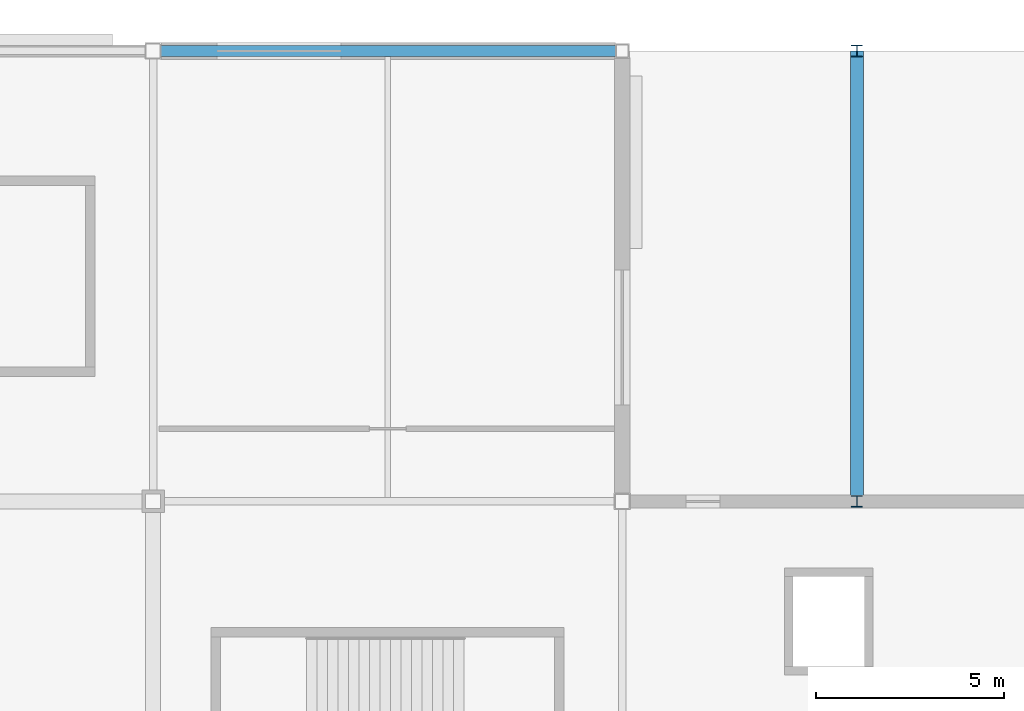
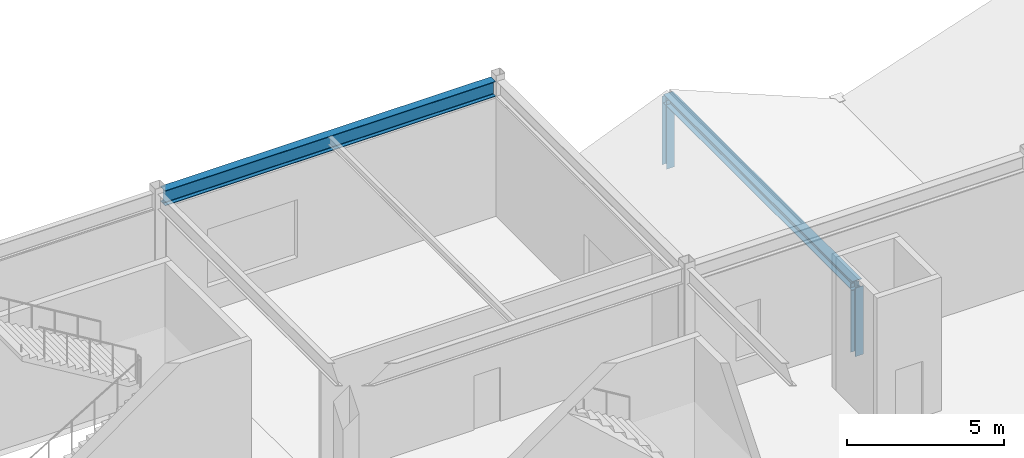
# One storey, part 53 of 105: 3 members, 1 beam.
"""IFC4 building model written with IfcOpenShell, lengths in metres."""

import ifcopenshell
import ifcopenshell.guid

model = None  # the IFC model being written
_history = None  # IfcOwnerHistory: only IFC2X3 demands one
_inside = {}  # id of a spatial element -> (the spatial element, [elements in it])
_under = {}  # id of a project, library or spatial element -> (it, [spatial elements below it])
_declared = {}  # id of a project -> (the project, [libraries it declares])
_typed = {}  # id of a type object -> (the type object, [elements of that type])
_made_of = {}  # id of a material, layer set ... -> (it, [elements and type objects made of it])


def new_model(schema):
    """Start an empty IFC model of exactly this schema.

    Asked for "IFC4X3", IfcOpenShell would pick the latest addendum, in which some entities
    have other attributes; the version numbers below select the first issue.
    IFC2X3 requires an IfcOwnerHistory on every rooted entity: one is made here for all.
    """
    global model, _history
    if schema == "IFC4X3":
        model = ifcopenshell.file(schema_version=(4, 3, 0, 0))
    else:
        model = ifcopenshell.file(schema=schema)
    _inside.clear()
    _under.clear()
    _declared.clear()
    _typed.clear()
    _made_of.clear()
    _history = None
    if model.schema == "IFC2X3":
        org = make("IfcOrganization", Name="unknown")
        user = make(
            "IfcPersonAndOrganization",
            ThePerson=make("IfcPerson", FamilyName="unknown"),
            TheOrganization=org,
        )
        app = make(
            "IfcApplication",
            ApplicationDeveloper=org,
            Version="unknown",
            ApplicationFullName="unknown",
            ApplicationIdentifier="unknown",
        )
        _history = make(
            "IfcOwnerHistory",
            OwningUser=user,
            OwningApplication=app,
            ChangeAction="ADDED",
            CreationDate=0,
        )
    return model


def make(cls, **values):
    """One entity of the class cls with the attributes given. An attribute that is None is left unset."""
    return model.create_entity(
        cls, **{name: value for name, value in values.items() if value is not None}
    )


def rooted(cls, **values):
    """An entity with a GlobalId (a new one), such as an element, a storey or a relation."""
    return make(cls, GlobalId=ifcopenshell.guid.new(), OwnerHistory=_history, **values)


def si_unit(unit_type, name, prefix=None):
    """IfcSIUnit, for example si_unit("LENGTHUNIT", "METRE", prefix="MILLI")."""
    return make("IfcSIUnit", UnitType=unit_type, Prefix=prefix, Name=name)


def assignment(units):
    """IfcUnitAssignment: the units of a project."""
    return None if units is None else make("IfcUnitAssignment", Units=units)


def point(xyz):
    """IfcCartesianPoint."""
    return None if xyz is None else make("IfcCartesianPoint", Coordinates=xyz)


def direction(xyz):
    """IfcDirection."""
    return None if xyz is None else make("IfcDirection", DirectionRatios=xyz)


def frame(location, z_axis=None, x_axis=None):
    """IfcAxis2Placement3D, a coordinate frame: its origin and axes. An axis left out is left unset."""
    return make(
        "IfcAxis2Placement3D",
        Location=point(location),
        Axis=direction(z_axis),
        RefDirection=direction(x_axis),
    )


def frame_2d(location, x_axis=None):
    """IfcAxis2Placement2D, a coordinate frame in the plane: its origin and x axis."""
    return make(
        "IfcAxis2Placement2D", Location=point(location), RefDirection=direction(x_axis)
    )


def origin():
    """The frame at (0, 0, 0) with its axes left unset."""
    return frame((0.0, 0.0, 0.0))


def origin_2d():
    """The frame at (0, 0) in the plane with its x axis left unset."""
    return frame_2d((0.0, 0.0))


def place(relative_to, where):
    """IfcLocalPlacement: puts the frame where relative to a parent placement (None: the world)."""
    return make(
        "IfcLocalPlacement", PlacementRelTo=relative_to, RelativePlacement=where
    )


def context(
    kind, dimensions, precision=None, world=None, true_north=None, identifier=None
):
    """IfcGeometricRepresentationContext, for example the 3D "Model" context."""
    return make(
        "IfcGeometricRepresentationContext",
        ContextIdentifier=identifier,
        ContextType=kind,
        CoordinateSpaceDimension=dimensions,
        Precision=precision,
        WorldCoordinateSystem=world,
        TrueNorth=true_north,
    )


def subcontext(parent, identifier, kind, view, scale=None):
    """IfcGeometricRepresentationSubContext, for example "Body" below "Model"."""
    return make(
        "IfcGeometricRepresentationSubContext",
        ContextIdentifier=identifier,
        ContextType=kind,
        ParentContext=parent,
        TargetScale=scale,
        TargetView=view,
    )


def project(units=None, contexts=None):
    """IfcProject with its units and contexts."""
    return rooted(
        "IfcProject",
        Name="project",
        RepresentationContexts=contexts,
        UnitsInContext=assignment(units),
    )


def spatial(cls, under=None, at=None, **own):
    """A site, building, storey or space (cls), placed at a placement, below another one or the project."""
    s = rooted(cls, ObjectPlacement=at, **own)
    if under is not None:
        _under.setdefault(under.id(), (under, []))[1].append(s)
    return s


def profile(cls, at=None, kind="AREA", **sizes):
    """A parametric profile (cls). Its sizes go by their IFC names, for example OverallWidth=200.0."""
    return make(cls, ProfileType=kind, Position=at, **sizes)


def i_section(**sizes):
    """IfcIShapeProfileDef."""
    return profile("IfcIShapeProfileDef", **sizes)


def extrude(swept, where, along, depth):
    """IfcExtrudedAreaSolid: the profile swept, set in the frame where, extruded along a direction by depth."""
    return make(
        "IfcExtrudedAreaSolid",
        SweptArea=swept,
        Position=where,
        ExtrudedDirection=direction(along),
        Depth=depth,
    )


def shape(context_of_items, identifier, shape_type, items):
    """IfcShapeRepresentation: the items that make up one representation, for example the "Body"."""
    return make(
        "IfcShapeRepresentation",
        ContextOfItems=context_of_items,
        RepresentationIdentifier=identifier,
        RepresentationType=shape_type,
        Items=items,
    )


def material(Name=None, Category=None):
    """IfcMaterial."""
    return make("IfcMaterial", Name=Name, Category=Category)


def material_profile(
    of_material, cross_section, Name=None, Category=None, Priority=None
):
    """IfcMaterialProfile: a cross section and its material."""
    return make(
        "IfcMaterialProfile",
        Name=Name,
        Material=of_material,
        Profile=cross_section,
        Priority=Priority,
        Category=Category,
    )


def profile_set(profiles, Name=None, composite=None):
    """IfcMaterialProfileSet."""
    return make(
        "IfcMaterialProfileSet",
        Name=Name,
        MaterialProfiles=profiles,
        CompositeProfile=composite,
    )


def made_of(thing, what):
    """Note that an element or type object is made of a material, layer set ...; save() writes the relation."""
    if what is not None:
        _made_of.setdefault(what.id(), (what, []))[1].append(thing)
    return thing


def type_object(cls, material=None, **own):
    """A type object (cls), such as IfcWallType, which elements share."""
    return made_of(rooted(cls, **own), material)


def element(
    cls,
    number,
    at=None,
    inside=None,
    cuts=None,
    type_object=None,
    material=None,
    context=None,
    identifier="Body",
    shape_type=None,
    held_by="IfcProductDefinitionShape",
    body=None,
    shapes=None,
    **own,
):
    """One element of the class cls, such as IfcWall. Its Tag is "e" and its number.

    at: its placement. inside: the storey or other place that contains it. cuts: it is an
    opening in that element (IfcRelVoidsElement). A single representation is given by context,
    identifier, shape_type and body (its items); several are given by shapes. held_by: the class
    of the entity that holds the representations. save() writes the other relations.
    """
    e = rooted(cls, Tag="e%d" % number, ObjectPlacement=at, **own)
    if body is not None:
        shapes = [shape(context, identifier, shape_type, body)]
    if shapes is not None:
        e.Representation = make(held_by, Representations=shapes)
    if inside is not None:
        _inside.setdefault(inside.id(), (inside, []))[1].append(e)
    if cuts is not None:
        rooted(
            "IfcRelVoidsElement", RelatingBuildingElement=cuts, RelatedOpeningElement=e
        )
    if type_object is not None:
        _typed.setdefault(type_object.id(), (type_object, []))[1].append(e)
    return made_of(e, material)


def aggregate(whole, parts):
    """IfcRelAggregates: a whole, such as a stair, and the parts it consists of."""
    return rooted("IfcRelAggregates", RelatingObject=whole, RelatedObjects=parts)


def save(model, path):
    """Write the relations noted so far, then the file.

    IfcRelAggregates (storeys below a building ...), IfcRelContainedInSpatialStructure (elements
    in a storey), IfcRelDefinesByType, IfcRelAssociatesMaterial and IfcRelDeclares: one each for
    every whole, place, type object, material and project.
    """
    for whole, parts in _under.values():
        aggregate(whole, parts)
    for where, things in _inside.values():
        rooted(
            "IfcRelContainedInSpatialStructure",
            RelatedElements=things,
            RelatingStructure=where,
        )
    for kind, things in _typed.values():
        rooted("IfcRelDefinesByType", RelatedObjects=things, RelatingType=kind)
    for what, things in _made_of.values():
        rooted("IfcRelAssociatesMaterial", RelatedObjects=things, RelatingMaterial=what)
    for by, libraries in _declared.values():
        rooted("IfcRelDeclares", RelatingContext=by, RelatedDefinitions=libraries)
    model.write(path)


model = new_model("IFC4")

# Units and contexts
model_context = context("Model", 3, precision=1e-05, world=origin(), true_north=direction((0.0, 1.0)))
body_context = subcontext(model_context, "Body", "Model", "MODEL_VIEW")
ifc_project = project(units=[si_unit("LENGTHUNIT", "METRE"), si_unit("AREAUNIT", "SQUARE_METRE"), si_unit("VOLUMEUNIT", "CUBIC_METRE"), si_unit("PLANEANGLEUNIT", "RADIAN"), si_unit("MASSUNIT", "GRAM", prefix="KILO")], contexts=[model_context])

# Site, building, storey
site_placement = place(None, origin())
site = spatial("IfcSite", under=ifc_project, at=site_placement, CompositionType="ELEMENT")
building_placement = place(site_placement, origin())
building = spatial("IfcBuilding", under=site, at=building_placement, Name="Kazenohara Klinker Stadium", CompositionType="ELEMENT")
storey_placement = place(building_placement, frame((0.0, 0.0, 20.39990234375)))
storey = spatial("IfcBuildingStorey", under=building, at=storey_placement, Name="L04", CompositionType="ELEMENT", Elevation=20.39990234375)

# Beam
ifc_material = material(Name="Steel S355", Category="steel")
ifc_material_profile_1 = material_profile(ifc_material, i_section(OverallWidth=0.300048828125, OverallDepth=0.587890625, WebThickness=0.011962890625, FlangeThickness=0.02001953125, FilletRadius=0.02197265625, at=origin_2d()), Name="H-588x300x12x20")
ifc_profile_set_1 = profile_set([ifc_material_profile_1], Name="Steel S355")
beam_type = type_object("IfcBeamType", Name="BM-ST05", PredefinedType="BEAM", material=ifc_profile_set_1)
beam_placement = place(storey_placement, frame((74.199951171875, 168.0, 4.885986328125), z_axis=(1.0, 0.0, 0.0), x_axis=(0.0, 1.0, 0.0)))
element("IfcBeam", 1, at=beam_placement, inside=storey, type_object=beam_type, Name="Primary girder SB05 L04 7-8/Q", PredefinedType="BEAM", context=body_context, shape_type="SweptSolid", body=[
    extrude(i_section(OverallWidth=0.300048828125, OverallDepth=0.587890625, WebThickness=0.011962890625, FlangeThickness=0.02001953125, FilletRadius=0.02197265625, at=origin_2d()), origin(), (0.0, 0.0, 1.0), 12.125),
])

# Members
ifc_material_profile_2 = material_profile(ifc_material, i_section(OverallWidth=0.35009765625, OverallDepth=0.35009765625, WebThickness=0.011962890625, FlangeThickness=0.01904296875, FilletRadius=0.012939453125, at=origin_2d()), Name="H-350x350x12x19")
ifc_profile_set_2 = profile_set([ifc_material_profile_2], Name="Steel S355")
member_type_1 = type_object("IfcMemberType", Name="MEM-CHD02", PredefinedType="CHORD", material=ifc_profile_set_2)
member_placement = place(storey_placement, frame((92.75, 156.0, 2.22998046875), z_axis=(0.0, 1.0, 0.0), x_axis=(-1.0, 0.0, 0.0)))
element("IfcMember", 2, at=member_placement, inside=storey, type_object=member_type_1, Name="Stepped pavilion gable ridge beam L04 8/P", PredefinedType="CHORD", context=body_context, shape_type="SweptSolid", body=[
    extrude(i_section(OverallWidth=0.35009765625, OverallDepth=0.35009765625, WebThickness=0.011962890625, FlangeThickness=0.01904296875, FilletRadius=0.012939453125, at=origin_2d()), origin(), (0.0, 0.0, 1.0), 12.0),
])
ifc_material_profile_3 = material_profile(ifc_material, i_section(OverallWidth=0.300048828125, OverallDepth=0.300048828125, WebThickness=0.010009765625, FlangeThickness=0.014892578125, FilletRadius=0.012939453125, at=origin_2d()), Name="H-300x300x10x15")
ifc_profile_set_3 = profile_set([ifc_material_profile_3], Name="Steel S355")
member_type_2 = type_object("IfcMemberType", Name="MEM-STR01", PredefinedType="STRUT", material=ifc_profile_set_3)
for number, where, z_axis, x_axis, name in (
    (3, (92.75, 156.0, -0.429931640625), (0.0, 0.0, 1.0), (1.0, 0.0, 0.0), "Stepped pavilion gable king-post L04 8/P S"),
    (4, (92.75, 168.0, -0.429931640625), (0.0, 0.0, 1.0), (1.0, 0.0, 0.0), "Stepped pavilion gable king-post L04 8/P N"),
):
    element("IfcMember", number, at=place(storey_placement, frame(where, z_axis=z_axis, x_axis=x_axis)), inside=storey, type_object=member_type_2, Name=name, PredefinedType="STRUT", context=body_context, shape_type="SweptSolid", body=[
        extrude(i_section(OverallWidth=0.300048828125, OverallDepth=0.300048828125, WebThickness=0.010009765625, FlangeThickness=0.014892578125, FilletRadius=0.012939453125, at=origin_2d()), origin(), (0.0, 0.0, 1.0), 2.659912109375),
    ])

save(model, "model.ifc")
